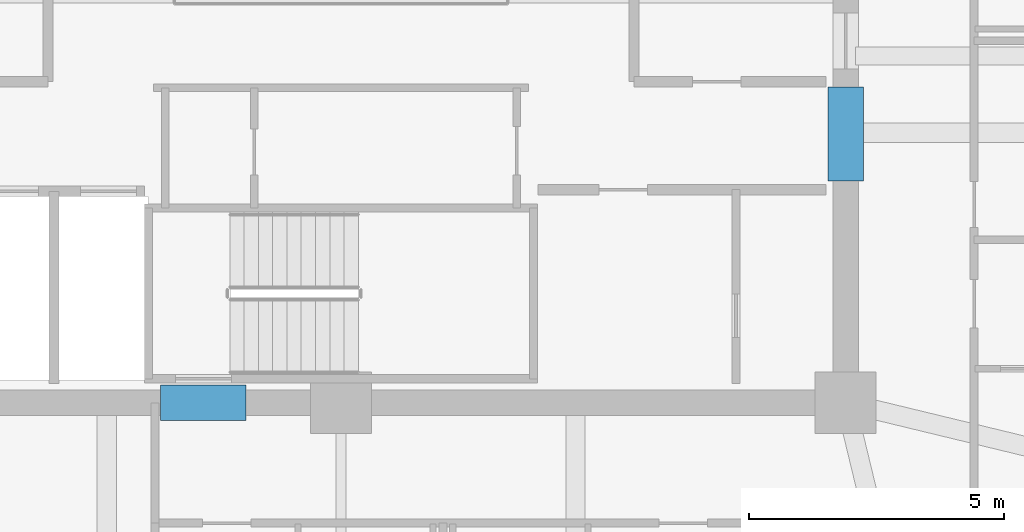
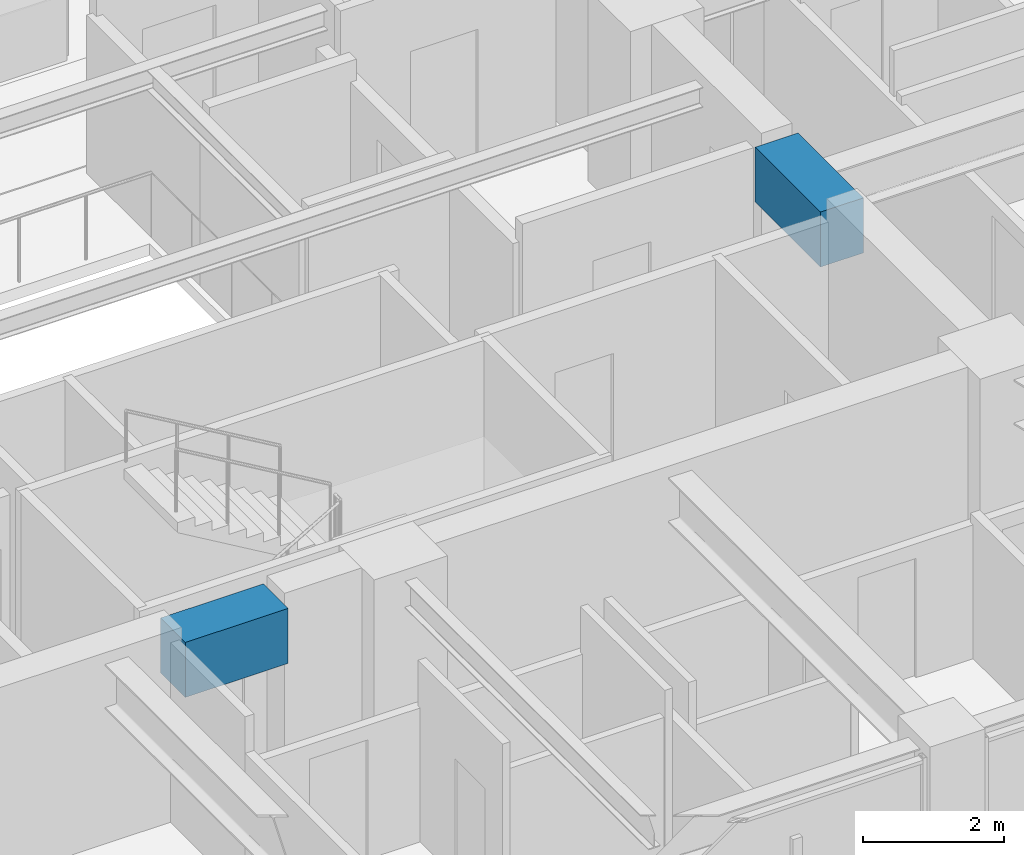
# One storey, part 8 of 33: 2 beams.
"""IFC4 building model written with IfcOpenShell, lengths in metres."""

import ifcopenshell
import ifcopenshell.guid

model = None  # the IFC model being written
_history = None  # IfcOwnerHistory: only IFC2X3 demands one
_inside = {}  # id of a spatial element -> (the spatial element, [elements in it])
_under = {}  # id of a project, library or spatial element -> (it, [spatial elements below it])
_declared = {}  # id of a project -> (the project, [libraries it declares])
_typed = {}  # id of a type object -> (the type object, [elements of that type])
_made_of = {}  # id of a material, layer set ... -> (it, [elements and type objects made of it])


def new_model(schema):
    """Start an empty IFC model of exactly this schema.

    Asked for "IFC4X3", IfcOpenShell would pick the latest addendum, in which some entities
    have other attributes; the version numbers below select the first issue.
    IFC2X3 requires an IfcOwnerHistory on every rooted entity: one is made here for all.
    """
    global model, _history
    if schema == "IFC4X3":
        model = ifcopenshell.file(schema_version=(4, 3, 0, 0))
    else:
        model = ifcopenshell.file(schema=schema)
    _inside.clear()
    _under.clear()
    _declared.clear()
    _typed.clear()
    _made_of.clear()
    _history = None
    if model.schema == "IFC2X3":
        org = make("IfcOrganization", Name="unknown")
        user = make(
            "IfcPersonAndOrganization",
            ThePerson=make("IfcPerson", FamilyName="unknown"),
            TheOrganization=org,
        )
        app = make(
            "IfcApplication",
            ApplicationDeveloper=org,
            Version="unknown",
            ApplicationFullName="unknown",
            ApplicationIdentifier="unknown",
        )
        _history = make(
            "IfcOwnerHistory",
            OwningUser=user,
            OwningApplication=app,
            ChangeAction="ADDED",
            CreationDate=0,
        )
    return model


def make(cls, **values):
    """One entity of the class cls with the attributes given. An attribute that is None is left unset."""
    return model.create_entity(
        cls, **{name: value for name, value in values.items() if value is not None}
    )


def rooted(cls, **values):
    """An entity with a GlobalId (a new one), such as an element, a storey or a relation."""
    return make(cls, GlobalId=ifcopenshell.guid.new(), OwnerHistory=_history, **values)


def si_unit(unit_type, name, prefix=None):
    """IfcSIUnit, for example si_unit("LENGTHUNIT", "METRE", prefix="MILLI")."""
    return make("IfcSIUnit", UnitType=unit_type, Prefix=prefix, Name=name)


def assignment(units):
    """IfcUnitAssignment: the units of a project."""
    return None if units is None else make("IfcUnitAssignment", Units=units)


def point(xyz):
    """IfcCartesianPoint."""
    return None if xyz is None else make("IfcCartesianPoint", Coordinates=xyz)


def direction(xyz):
    """IfcDirection."""
    return None if xyz is None else make("IfcDirection", DirectionRatios=xyz)


def frame(location, z_axis=None, x_axis=None):
    """IfcAxis2Placement3D, a coordinate frame: its origin and axes. An axis left out is left unset."""
    return make(
        "IfcAxis2Placement3D",
        Location=point(location),
        Axis=direction(z_axis),
        RefDirection=direction(x_axis),
    )


def frame_2d(location, x_axis=None):
    """IfcAxis2Placement2D, a coordinate frame in the plane: its origin and x axis."""
    return make(
        "IfcAxis2Placement2D", Location=point(location), RefDirection=direction(x_axis)
    )


def origin():
    """The frame at (0, 0, 0) with its axes left unset."""
    return frame((0.0, 0.0, 0.0))


def origin_2d():
    """The frame at (0, 0) in the plane with its x axis left unset."""
    return frame_2d((0.0, 0.0))


def place(relative_to, where):
    """IfcLocalPlacement: puts the frame where relative to a parent placement (None: the world)."""
    return make(
        "IfcLocalPlacement", PlacementRelTo=relative_to, RelativePlacement=where
    )


def context(
    kind, dimensions, precision=None, world=None, true_north=None, identifier=None
):
    """IfcGeometricRepresentationContext, for example the 3D "Model" context."""
    return make(
        "IfcGeometricRepresentationContext",
        ContextIdentifier=identifier,
        ContextType=kind,
        CoordinateSpaceDimension=dimensions,
        Precision=precision,
        WorldCoordinateSystem=world,
        TrueNorth=true_north,
    )


def subcontext(parent, identifier, kind, view, scale=None):
    """IfcGeometricRepresentationSubContext, for example "Body" below "Model"."""
    return make(
        "IfcGeometricRepresentationSubContext",
        ContextIdentifier=identifier,
        ContextType=kind,
        ParentContext=parent,
        TargetScale=scale,
        TargetView=view,
    )


def project(units=None, contexts=None):
    """IfcProject with its units and contexts."""
    return rooted(
        "IfcProject",
        Name="project",
        RepresentationContexts=contexts,
        UnitsInContext=assignment(units),
    )


def spatial(cls, under=None, at=None, **own):
    """A site, building, storey or space (cls), placed at a placement, below another one or the project."""
    s = rooted(cls, ObjectPlacement=at, **own)
    if under is not None:
        _under.setdefault(under.id(), (under, []))[1].append(s)
    return s


def profile(cls, at=None, kind="AREA", **sizes):
    """A parametric profile (cls). Its sizes go by their IFC names, for example OverallWidth=200.0."""
    return make(cls, ProfileType=kind, Position=at, **sizes)


def rectangle(**sizes):
    """IfcRectangleProfileDef."""
    return profile("IfcRectangleProfileDef", **sizes)


def extrude(swept, where, along, depth):
    """IfcExtrudedAreaSolid: the profile swept, set in the frame where, extruded along a direction by depth."""
    return make(
        "IfcExtrudedAreaSolid",
        SweptArea=swept,
        Position=where,
        ExtrudedDirection=direction(along),
        Depth=depth,
    )


def shape(context_of_items, identifier, shape_type, items):
    """IfcShapeRepresentation: the items that make up one representation, for example the "Body"."""
    return make(
        "IfcShapeRepresentation",
        ContextOfItems=context_of_items,
        RepresentationIdentifier=identifier,
        RepresentationType=shape_type,
        Items=items,
    )


def material(Name=None, Category=None):
    """IfcMaterial."""
    return make("IfcMaterial", Name=Name, Category=Category)


def material_profile(
    of_material, cross_section, Name=None, Category=None, Priority=None
):
    """IfcMaterialProfile: a cross section and its material."""
    return make(
        "IfcMaterialProfile",
        Name=Name,
        Material=of_material,
        Profile=cross_section,
        Priority=Priority,
        Category=Category,
    )


def profile_set(profiles, Name=None, composite=None):
    """IfcMaterialProfileSet."""
    return make(
        "IfcMaterialProfileSet",
        Name=Name,
        MaterialProfiles=profiles,
        CompositeProfile=composite,
    )


def made_of(thing, what):
    """Note that an element or type object is made of a material, layer set ...; save() writes the relation."""
    if what is not None:
        _made_of.setdefault(what.id(), (what, []))[1].append(thing)
    return thing


def type_object(cls, material=None, **own):
    """A type object (cls), such as IfcWallType, which elements share."""
    return made_of(rooted(cls, **own), material)


def element(
    cls,
    number,
    at=None,
    inside=None,
    cuts=None,
    type_object=None,
    material=None,
    context=None,
    identifier="Body",
    shape_type=None,
    held_by="IfcProductDefinitionShape",
    body=None,
    shapes=None,
    **own,
):
    """One element of the class cls, such as IfcWall. Its Tag is "e" and its number.

    at: its placement. inside: the storey or other place that contains it. cuts: it is an
    opening in that element (IfcRelVoidsElement). A single representation is given by context,
    identifier, shape_type and body (its items); several are given by shapes. held_by: the class
    of the entity that holds the representations. save() writes the other relations.
    """
    e = rooted(cls, Tag="e%d" % number, ObjectPlacement=at, **own)
    if body is not None:
        shapes = [shape(context, identifier, shape_type, body)]
    if shapes is not None:
        e.Representation = make(held_by, Representations=shapes)
    if inside is not None:
        _inside.setdefault(inside.id(), (inside, []))[1].append(e)
    if cuts is not None:
        rooted(
            "IfcRelVoidsElement", RelatingBuildingElement=cuts, RelatedOpeningElement=e
        )
    if type_object is not None:
        _typed.setdefault(type_object.id(), (type_object, []))[1].append(e)
    return made_of(e, material)


def aggregate(whole, parts):
    """IfcRelAggregates: a whole, such as a stair, and the parts it consists of."""
    return rooted("IfcRelAggregates", RelatingObject=whole, RelatedObjects=parts)


def save(model, path):
    """Write the relations noted so far, then the file.

    IfcRelAggregates (storeys below a building ...), IfcRelContainedInSpatialStructure (elements
    in a storey), IfcRelDefinesByType, IfcRelAssociatesMaterial and IfcRelDeclares: one each for
    every whole, place, type object, material and project.
    """
    for whole, parts in _under.values():
        aggregate(whole, parts)
    for where, things in _inside.values():
        rooted(
            "IfcRelContainedInSpatialStructure",
            RelatedElements=things,
            RelatingStructure=where,
        )
    for kind, things in _typed.values():
        rooted("IfcRelDefinesByType", RelatedObjects=things, RelatingType=kind)
    for what, things in _made_of.values():
        rooted("IfcRelAssociatesMaterial", RelatedObjects=things, RelatingMaterial=what)
    for by, libraries in _declared.values():
        rooted("IfcRelDeclares", RelatingContext=by, RelatedDefinitions=libraries)
    model.write(path)


model = new_model("IFC4")

# Units and contexts
model_context = context("Model", 3, precision=1e-05, world=origin(), true_north=direction((0.0, 1.0)))
body_context = subcontext(model_context, "Body", "Model", "MODEL_VIEW")
ifc_project = project(units=[si_unit("LENGTHUNIT", "METRE"), si_unit("AREAUNIT", "SQUARE_METRE"), si_unit("VOLUMEUNIT", "CUBIC_METRE"), si_unit("PLANEANGLEUNIT", "RADIAN"), si_unit("MASSUNIT", "GRAM", prefix="KILO")], contexts=[model_context])

# Site, building, storey
site_placement = place(None, origin())
site = spatial("IfcSite", under=ifc_project, at=site_placement, CompositionType="ELEMENT")
building_placement = place(site_placement, origin())
building = spatial("IfcBuilding", under=site, at=building_placement, Name="Kolvaren Belvedere", CompositionType="ELEMENT")
storey_placement = place(building_placement, frame((0.0, 0.0, 128.300048828125)))
storey = spatial("IfcBuildingStorey", under=building, at=storey_placement, Name="L37", CompositionType="ELEMENT", Elevation=128.300048828125)

# Beams
ifc_material = material(Name="Concrete C60/75", Category="concrete")
ifc_material_profile = material_profile(ifc_material, rectangle(XDim=0.699951171875, YDim=0.949951171875, at=origin_2d()), Name="RC 700X950")
ifc_profile_set = profile_set([ifc_material_profile], Name="Concrete C60/75")
beam_type = type_object("IfcBeamType", Name="BM-LINT-950", PredefinedType="LINTEL", material=ifc_profile_set)
beam_1_placement = place(storey_placement, frame((-3.5400390625, -9.89990234375, 2.625), z_axis=(1.0, 0.0, 0.0), x_axis=(0.0, 1.0, 0.0)))
element("IfcBeam", 1, at=beam_1_placement, inside=storey, type_object=beam_type, Name="L37 South Core Coupling Lintel", PredefinedType="LINTEL", context=body_context, shape_type="SweptSolid", body=[
    extrude(rectangle(XDim=0.699951171875, YDim=0.949951171875, at=origin_2d()), origin(), (0.0, 0.0, 1.0), 1.679931640625),
])
beam_2_placement = place(storey_placement, frame((9.89990234375, -5.550048828125, 2.625), z_axis=(0.0, 1.0, 0.0), x_axis=(-1.0, 0.0, 0.0)))
element("IfcBeam", 2, at=beam_2_placement, inside=storey, type_object=beam_type, Name="L37 East Core Coupling Lintel", PredefinedType="LINTEL", context=body_context, shape_type="SweptSolid", body=[
    extrude(rectangle(XDim=0.699951171875, YDim=0.949951171875, at=origin_2d()), origin(), (0.0, 0.0, 1.0), 1.85009765625),
])

save(model, "model.ifc")
